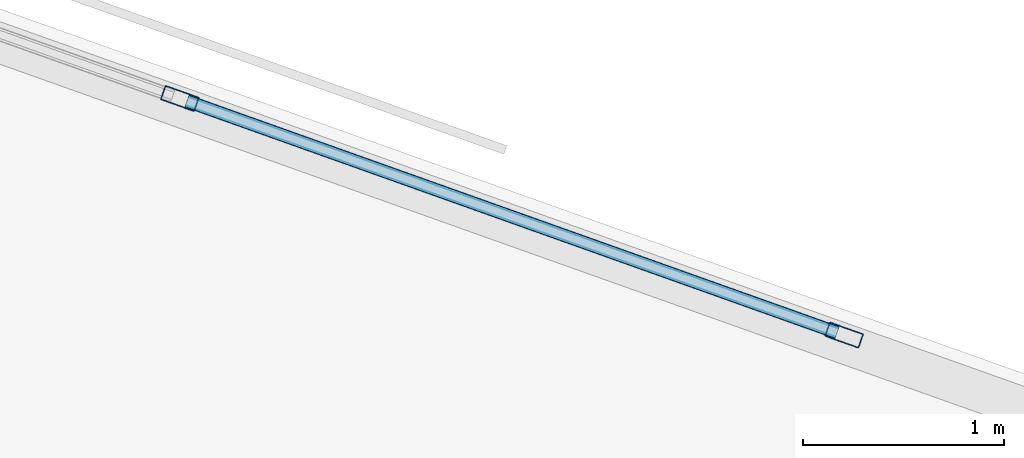
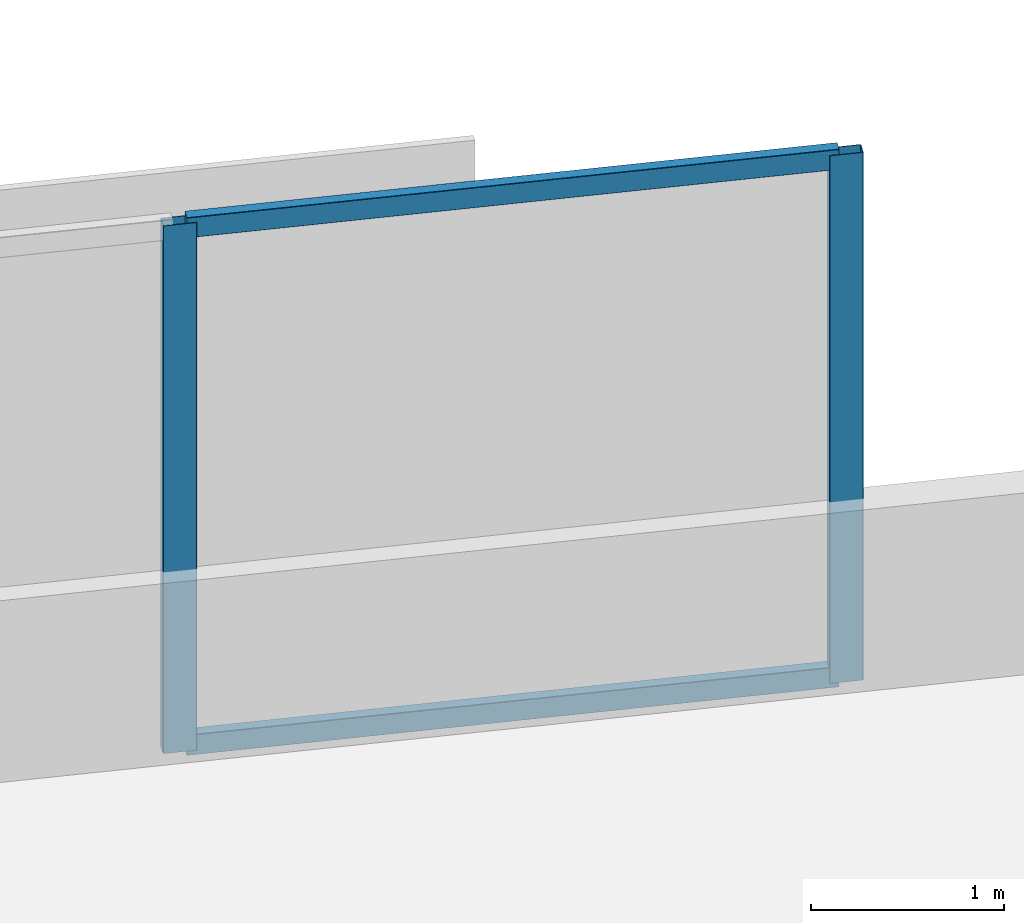
# One storey, part 2 of 16: 4 members, 1 element without a shape of its own.
"""IFC4 building model written with IfcOpenShell, lengths in metres."""

from ifc_helpers import new_model, si_unit, direction, frame, origin, origin_2d, place, context, subcontext, project, spatial, hollow_rectangle, extrude, material, material_profile, profile_set, type_object, element, aggregate, save


model = new_model("IFC4")

# Units and contexts
model_context = context("Model", 3, precision=1e-05, world=origin(), true_north=direction((0.0, 1.0)))
body_context = subcontext(model_context, "Body", "Model", "MODEL_VIEW")
ifc_project = project(units=[si_unit("LENGTHUNIT", "METRE"), si_unit("AREAUNIT", "SQUARE_METRE"), si_unit("VOLUMEUNIT", "CUBIC_METRE"), si_unit("PLANEANGLEUNIT", "RADIAN"), si_unit("MASSUNIT", "GRAM", prefix="KILO")], contexts=[model_context])

# Site, building, storey
site_placement = place(None, origin())
site = spatial("IfcSite", under=ifc_project, at=site_placement, CompositionType="ELEMENT")
building_placement = place(site_placement, origin())
building = spatial("IfcBuilding", under=site, at=building_placement, Name="Narakoshi Arena Tower", CompositionType="ELEMENT")
storey_placement = place(building_placement, frame((0.0, 0.0, 153.89990234375)))
storey = spatial("IfcBuildingStorey", under=building, at=storey_placement, Name="L41", CompositionType="ELEMENT", Elevation=153.89990234375)

# Curtain wall, members
ifc_material = material(Name="Anodised bronze aluminium 6063-T6", Category="aluminium")
curtain_wall_type = type_object("IfcCurtainWallType", Name="CW-HYP-MID", PredefinedType="NOTDEFINED", material=ifc_material)
curtain_wall_placement = place(storey_placement, origin())
curtain_wall = element("IfcCurtainWall", 1, at=curtain_wall_placement, inside=storey, type_object=curtain_wall_type, Name="L41 Folded Hypotenuse Curtain Wall 2-1", PredefinedType="NOTDEFINED")
ifc_material_profile_1 = material_profile(ifc_material, hollow_rectangle(XDim=0.074951171875, YDim=0.179931640625, WallThickness=0.00390625, OuterFilletRadius=0.0048828125, at=origin_2d()), Name="MUL180x75x4")
ifc_profile_set_1 = profile_set([ifc_material_profile_1], Name="Anodised bronze aluminium 6063-T6")
member_type_1 = type_object("IfcMemberType", Name="MEM-MUL-180", PredefinedType="MULLION", material=ifc_profile_set_1)
member_1_placement = place(storey_placement, frame((87.77978515625, 62.73876953125, 0.0), z_axis=(0.0, 0.0, 1.0), x_axis=(-0.335518297139, -0.94203368957, 0.0)))
member_1 = element("IfcMember", 2, at=member_1_placement, type_object=member_type_1, Name="CW-02 mullion 1", PredefinedType="MULLION", context=body_context, shape_type="SweptSolid", body=[
    extrude(hollow_rectangle(XDim=0.074951171875, YDim=0.179931640625, WallThickness=0.00390625, OuterFilletRadius=0.0048828125, at=origin_2d()), origin(), (0.0, 0.0, 1.0), 3.340087890625),
])
member_2_placement = place(storey_placement, frame((84.470458984375, 63.917236328125, 0.0), z_axis=(0.0, 0.0, 1.0), x_axis=(-0.335518297139, -0.94203368957, 0.0)))
member_2 = element("IfcMember", 3, at=member_2_placement, type_object=member_type_1, Name="CW-02 mullion 2", PredefinedType="MULLION", context=body_context, shape_type="SweptSolid", body=[
    extrude(hollow_rectangle(XDim=0.074951171875, YDim=0.179931640625, WallThickness=0.00390625, OuterFilletRadius=0.0048828125, at=origin_2d()), origin(), (0.0, 0.0, 1.0), 3.340087890625),
])
ifc_material_profile_2 = material_profile(ifc_material, hollow_rectangle(XDim=0.06494140625, YDim=0.1298828125, WallThickness=0.00390625, OuterFilletRadius=0.0048828125, at=origin_2d()), Name="TRN130x65x4")
ifc_profile_set_2 = profile_set([ifc_material_profile_2], Name="Anodised bronze aluminium 6063-T6")
member_type_2 = type_object("IfcMemberType", Name="MEM-TRN-130", PredefinedType="USERDEFINED", material=ifc_profile_set_2)
member_3_placement = place(storey_placement, frame((87.744384765625, 62.751220703125, 0.03271484375), z_axis=(-0.942022753127, 0.335549001773, 0.0), x_axis=(-0.335549001773, -0.942022753127, 0.0)))
member_3 = element("IfcMember", 4, at=member_3_placement, type_object=member_type_2, Name="CW-02 transom 1.1", ObjectType="TRANSOM", PredefinedType="USERDEFINED", context=body_context, shape_type="SweptSolid", body=[
    extrude(hollow_rectangle(XDim=0.06494140625, YDim=0.1298828125, WallThickness=0.00390625, OuterFilletRadius=0.0048828125, at=origin_2d()), origin(), (0.0, 0.0, 1.0), 3.437744140625),
])
member_4_placement = place(storey_placement, frame((87.744384765625, 62.751220703125, 3.3076171875), z_axis=(-0.942022753127, 0.335549001773, 0.0), x_axis=(-0.335549001773, -0.942022753127, 0.0)))
member_4 = element("IfcMember", 5, at=member_4_placement, type_object=member_type_2, Name="CW-02 transom 1.2", ObjectType="TRANSOM", PredefinedType="USERDEFINED", context=body_context, shape_type="SweptSolid", body=[
    extrude(hollow_rectangle(XDim=0.06494140625, YDim=0.1298828125, WallThickness=0.00390625, OuterFilletRadius=0.0048828125, at=origin_2d()), origin(), (0.0, 0.0, 1.0), 3.437744140625),
])
aggregate(curtain_wall, [member_1, member_2, member_3, member_4])

save(model, "model.ifc")
